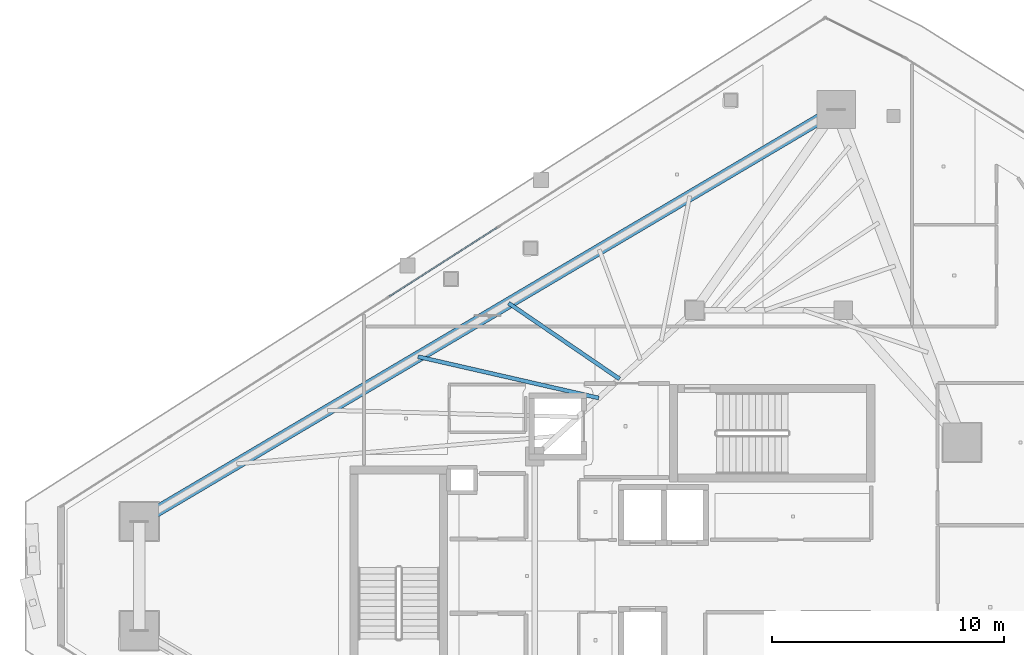
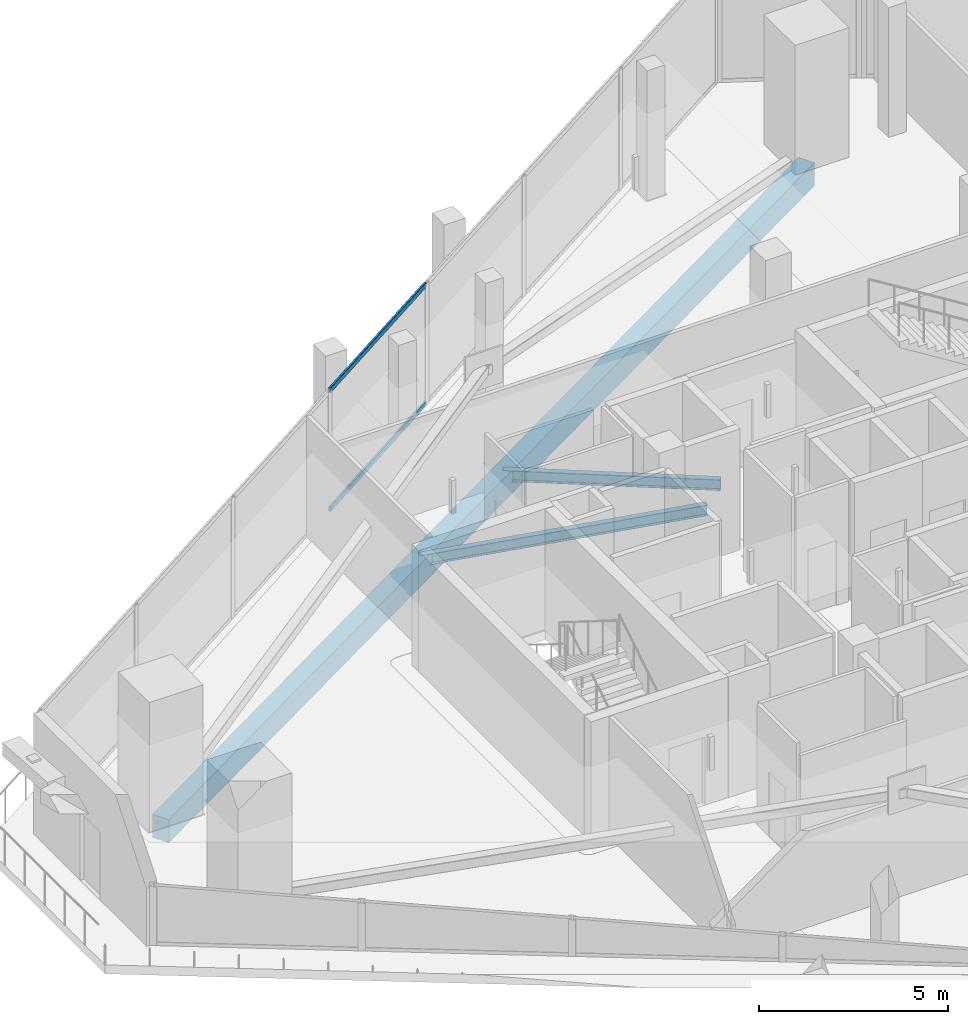
# One storey, part 16 of 34: 3 beams, 2 members, 1 element without a shape of its own.
"""IFC4 building model written with IfcOpenShell, lengths in metres."""

from ifc_helpers import new_model, si_unit, direction, frame, origin, origin_2d, place, context, subcontext, project, spatial, rectangle, hollow_rectangle, i_section, extrude, material, layer, layer_set, material_profile, profile_set, type_object, element, aggregate, save


model = new_model("IFC4")

# Units and contexts
model_context = context("Model", 3, precision=1e-05, world=origin(), true_north=direction((0.0, 1.0)))
body_context = subcontext(model_context, "Body", "Model", "MODEL_VIEW")
ifc_project = project(units=[si_unit("LENGTHUNIT", "METRE"), si_unit("AREAUNIT", "SQUARE_METRE"), si_unit("VOLUMEUNIT", "CUBIC_METRE"), si_unit("PLANEANGLEUNIT", "RADIAN"), si_unit("MASSUNIT", "GRAM", prefix="KILO")], contexts=[model_context])

# Site, building, storey
site_placement = place(None, origin())
site = spatial("IfcSite", under=ifc_project, at=site_placement, CompositionType="ELEMENT")
building_placement = place(site_placement, origin())
building = spatial("IfcBuilding", under=site, at=building_placement, Name="Qorvath Tower", CompositionType="ELEMENT")
storey_placement = place(building_placement, frame((0.0, 0.0, 276.60009765625)))
storey = spatial("IfcBuildingStorey", under=building, at=storey_placement, Name="L64", CompositionType="ELEMENT", Elevation=276.60009765625)

# Beams
ifc_material_1 = material(Name="Steel ASTM A992 Grade 50", Category="steel")
ifc_material_profile_1 = material_profile(ifc_material_1, i_section(OverallWidth=0.1708984375, OverallDepth=0.35107421875, WebThickness=0.0068359375, FlangeThickness=0.009765625, FilletRadius=0.010009765625, at=origin_2d()), Name="W14x30")
ifc_profile_set_1 = profile_set([ifc_material_profile_1], Name="Steel ASTM A992 Grade 50")
beam_type_1 = type_object("IfcBeamType", Name="BM-FJ4", PredefinedType="JOIST", material=ifc_profile_set_1)
beam_1_placement = place(storey_placement, frame((-27.739990234375, 7.669921875, -0.465576171875), z_axis=(-0.974852627195, 0.222850522212, 0.0), x_axis=(-0.222850522212, -0.974852627195, 0.0)))
element("IfcBeam", 1, at=beam_1_placement, inside=storey, type_object=beam_type_1, Name="Composite Floor Joist NW3 L64", PredefinedType="JOIST", context=body_context, shape_type="SweptSolid", body=[
    extrude(i_section(OverallWidth=0.1708984375, OverallDepth=0.35107421875, WebThickness=0.0068359375, FlangeThickness=0.009765625, FilletRadius=0.010009765625, at=origin_2d()), origin(), (0.0, 0.0, 1.0), 7.98974609375),
])
beam_2_placement = place(storey_placement, frame((-26.843017578125, 8.489013671875, -0.465576171875), z_axis=(-0.82557592702, 0.564291049658, 0.0), x_axis=(-0.564291049658, -0.82557592702, 0.0)))
element("IfcBeam", 2, at=beam_2_placement, inside=storey, type_object=beam_type_1, Name="Composite Floor Joist NW4 L64", PredefinedType="JOIST", context=body_context, shape_type="SweptSolid", body=[
    extrude(i_section(OverallWidth=0.1708984375, OverallDepth=0.35107421875, WebThickness=0.0068359375, FlangeThickness=0.009765625, FilletRadius=0.010009765625, at=origin_2d()), origin(), (0.0, 0.0, 1.0), 5.793212890625),
])
ifc_material_2 = material(Name="Concrete C45/55", Category="concrete")
ifc_material_profile_2 = material_profile(ifc_material_2, rectangle(XDim=0.5, YDim=0.75, at=origin_2d()), Name="RCB 750x500")
ifc_profile_set_2 = profile_set([ifc_material_profile_2], Name="Concrete C45/55")
beam_type_2 = type_object("IfcBeamType", Name="BM-RCB3", PredefinedType="SPANDREL", material=ifc_profile_set_2)
beam_3_placement = place(storey_placement, frame((-17.515380859375, 20.1015625, -0.6650390625), z_axis=(-0.860781425392, -0.50897479083, 0.0), x_axis=(0.50897479083, -0.860781425392, 0.0)))
element("IfcBeam", 3, at=beam_3_placement, inside=storey, type_object=beam_type_2, Name="Perimeter Loggia Frame Beam MC6-MC1 L64", PredefinedType="SPANDREL", context=body_context, shape_type="SweptSolid", body=[
    extrude(rectangle(XDim=0.5, YDim=0.75, at=origin_2d()), origin(), (0.0, 0.0, 1.0), 34.8779296875),
])

# Curtain wall, members
ifc_material_3 = material(Name="Anodised aluminium and triple low-E glass", Category="aluminium")
ifc_layer = layer(ifc_material_3, 0.179931640625)
ifc_layer_set = layer_set([ifc_layer], Name="CW-SYS-4")
curtain_wall_type = type_object("IfcCurtainWallType", Name="CW-SYS-4", PredefinedType="NOTDEFINED", material=ifc_layer_set)
curtain_wall_placement = place(storey_placement, origin())
curtain_wall = element("IfcCurtainWall", 4, at=curtain_wall_placement, inside=storey, type_object=curtain_wall_type, Name="Curtain Wall CW-4 CW-T-L64-16.1", PredefinedType="NOTDEFINED")
ifc_material_4 = material(Name="Anodised aluminium 6063-T6", Category="aluminium")
ifc_material_profile_3 = material_profile(ifc_material_4, hollow_rectangle(XDim=0.06494140625, YDim=0.159912109375, WallThickness=0.00341796875, InnerFilletRadius=0.00341796875, OuterFilletRadius=0.007080078125, at=origin_2d()), Name="CWT 160x65")
ifc_profile_set_3 = profile_set([ifc_material_profile_3], Name="Anodised aluminium 6063-T6")
member_type = type_object("IfcMemberType", Name="CWT-160", PredefinedType="USERDEFINED", material=ifc_profile_set_3)
member_1_placement = place(storey_placement, frame((-32.125244140625, 15.009521484375, 0.032470703125), z_axis=(-0.842597346925, -0.538544065935, 0.0), x_axis=(0.538544065935, -0.842597346925, 0.0)))
member_1 = element("IfcMember", 5, at=member_1_placement, type_object=member_type, Name="CW-4 transom 4.1", ObjectType="TRANSOM", PredefinedType="USERDEFINED", context=body_context, shape_type="SweptSolid", body=[
    extrude(hollow_rectangle(XDim=0.06494140625, YDim=0.159912109375, WallThickness=0.00341796875, InnerFilletRadius=0.00341796875, OuterFilletRadius=0.007080078125, at=origin_2d()), origin(), (0.0, 0.0, 1.0), 5.506591796875),
])
member_2_placement = place(storey_placement, frame((-32.125244140625, 15.009521484375, 3.87744140625), z_axis=(-0.842597346925, -0.538544065935, 0.0), x_axis=(0.538544065935, -0.842597346925, 0.0)))
member_2 = element("IfcMember", 6, at=member_2_placement, type_object=member_type, Name="CW-4 transom 4.2", ObjectType="TRANSOM", PredefinedType="USERDEFINED", context=body_context, shape_type="SweptSolid", body=[
    extrude(hollow_rectangle(XDim=0.06494140625, YDim=0.159912109375, WallThickness=0.00341796875, InnerFilletRadius=0.00341796875, OuterFilletRadius=0.007080078125, at=origin_2d()), origin(), (0.0, 0.0, 1.0), 5.506591796875),
])
aggregate(curtain_wall, [member_1, member_2])

save(model, "model.ifc")
